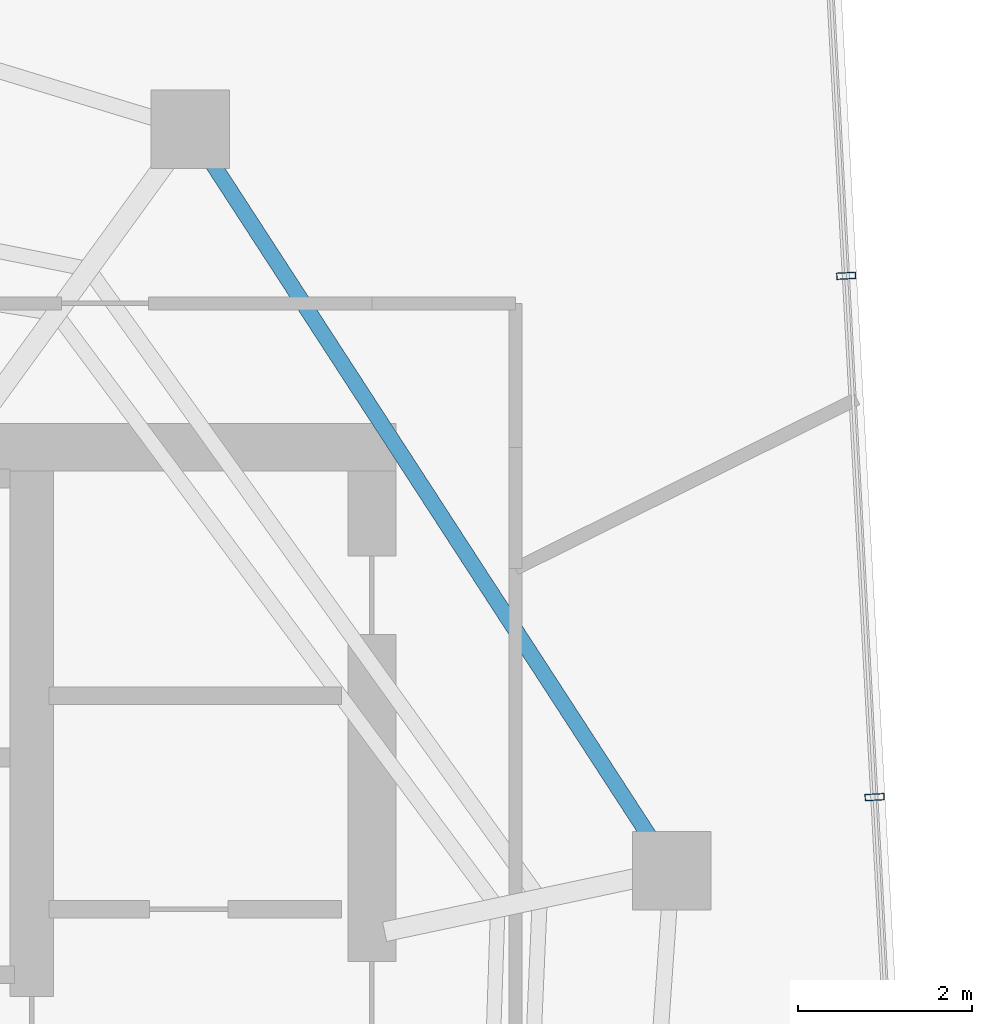
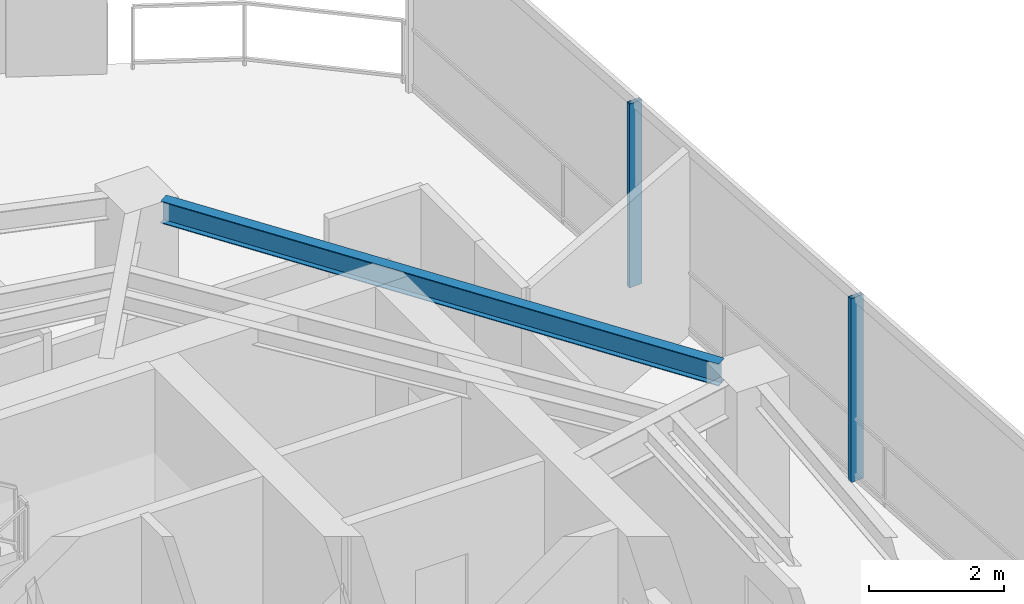
# One storey, part 9 of 18: 2 members, 1 beam, 1 element without a shape of its own.
"""IFC4 building model written with IfcOpenShell, lengths in metres."""

from ifc_helpers import new_model, si_unit, direction, frame, origin, origin_2d, place, context, subcontext, project, spatial, hollow_rectangle, i_section, extrude, material, layer, layer_set, material_profile, profile_set, type_object, element, aggregate, save


model = new_model("IFC4")

# Units and contexts
model_context = context("Model", 3, precision=1e-05, world=origin(), true_north=direction((0.0, 1.0)))
body_context = subcontext(model_context, "Body", "Model", "MODEL_VIEW")
ifc_project = project(units=[si_unit("LENGTHUNIT", "METRE"), si_unit("AREAUNIT", "SQUARE_METRE"), si_unit("VOLUMEUNIT", "CUBIC_METRE"), si_unit("PLANEANGLEUNIT", "RADIAN"), si_unit("MASSUNIT", "GRAM", prefix="KILO")], contexts=[model_context])

# Site, building, storey
site_placement = place(None, origin())
site = spatial("IfcSite", under=ifc_project, at=site_placement, CompositionType="ELEMENT")
building_placement = place(site_placement, origin())
building = spatial("IfcBuilding", under=site, at=building_placement, Name="Qarnah Convention Tower", CompositionType="ELEMENT")
storey_placement = place(building_placement, frame((0.0, 0.0, 191.39990234375)))
storey = spatial("IfcBuildingStorey", under=building, at=storey_placement, Name="L51", CompositionType="ELEMENT", Elevation=191.39990234375)

# Beam
ifc_material_1 = material(Name="Structural steel S355JR", Category="steel")
ifc_material_profile_1 = material_profile(ifc_material_1, i_section(OverallWidth=0.179931640625, OverallDepth=0.39990234375, WebThickness=0.009033203125, FlangeThickness=0.013916015625, at=origin_2d()), Name="IPE400")
ifc_profile_set_1 = profile_set([ifc_material_profile_1], Name="Structural steel S355JR")
beam_type = type_object("IfcBeamType", Name="BM-SPN-IPE400", PredefinedType="SPANDREL", material=ifc_profile_set_1)
beam_placement = place(storey_placement, frame((50.801025390625, 29.7109375, 3.1201171875), z_axis=(-0.544586178954, 0.838704890705, 0.0), x_axis=(-0.838704890705, -0.544586178954, 0.0)))
element("IfcBeam", 1, at=beam_placement, inside=storey, type_object=beam_type, Name="L51 spandrel BM-L51-SPN-01", PredefinedType="SPANDREL", context=body_context, shape_type="SweptSolid", body=[
    extrude(i_section(OverallWidth=0.179931640625, OverallDepth=0.39990234375, WebThickness=0.009033203125, FlangeThickness=0.013916015625, at=origin_2d()), origin(), (0.0, 0.0, 1.0), 9.261962890625),
])

# Curtain wall, members
ifc_material_2 = material(Name="Tempered Low-E dark glass", Category="glass")
ifc_layer = layer(ifc_material_2, 0.174072265625)
ifc_layer_set = layer_set([ifc_layer], Name="Tempered Low-E dark glass")
curtain_wall_type = type_object("IfcCurtainWallType", Name="CWS-04", PredefinedType="NOTDEFINED", material=ifc_layer_set)
curtain_wall_placement = place(storey_placement, origin())
curtain_wall = element("IfcCurtainWall", 2, at=curtain_wall_placement, inside=storey, type_object=curtain_wall_type, Name="L51 unitised curtain wall CW-L51-F2", PredefinedType="NOTDEFINED")
ifc_material_3 = material(Name="Black anodised aluminium", Category="aluminium")
ifc_material_profile_2 = material_profile(ifc_material_3, hollow_rectangle(XDim=0.074951171875, YDim=0.219970703125, WallThickness=0.0048828125, at=origin_2d()), Name="MUL-75X220")
ifc_profile_set_2 = profile_set([ifc_material_profile_2], Name="Black anodised aluminium")
member_type = type_object("IfcMemberType", Name="MUL-T4", PredefinedType="MULLION", material=ifc_profile_set_2)
member_1_placement = place(storey_placement, frame((53.0419921875, 36.166748046875, 0.0), z_axis=(0.0, 0.0, 1.0), x_axis=(0.054432401259, -0.998517457881, 0.0)))
member_1 = element("IfcMember", 3, at=member_1_placement, type_object=member_type, Name="CW-L51-F2 mullion 2", PredefinedType="MULLION", context=body_context, shape_type="SweptSolid", body=[
    extrude(hollow_rectangle(XDim=0.074951171875, YDim=0.219970703125, WallThickness=0.0048828125, at=origin_2d()), origin(), (0.0, 0.0, 1.0), 3.320068359375),
])
member_2_placement = place(storey_placement, frame((53.367919921875, 30.1865234375, 0.0), z_axis=(0.0, 0.0, 1.0), x_axis=(0.054432401259, -0.998517457881, 0.0)))
member_2 = element("IfcMember", 4, at=member_2_placement, type_object=member_type, Name="CW-L51-F2 mullion 3", PredefinedType="MULLION", context=body_context, shape_type="SweptSolid", body=[
    extrude(hollow_rectangle(XDim=0.074951171875, YDim=0.219970703125, WallThickness=0.0048828125, at=origin_2d()), origin(), (0.0, 0.0, 1.0), 3.320068359375),
])
aggregate(curtain_wall, [member_1, member_2])

save(model, "model.ifc")
